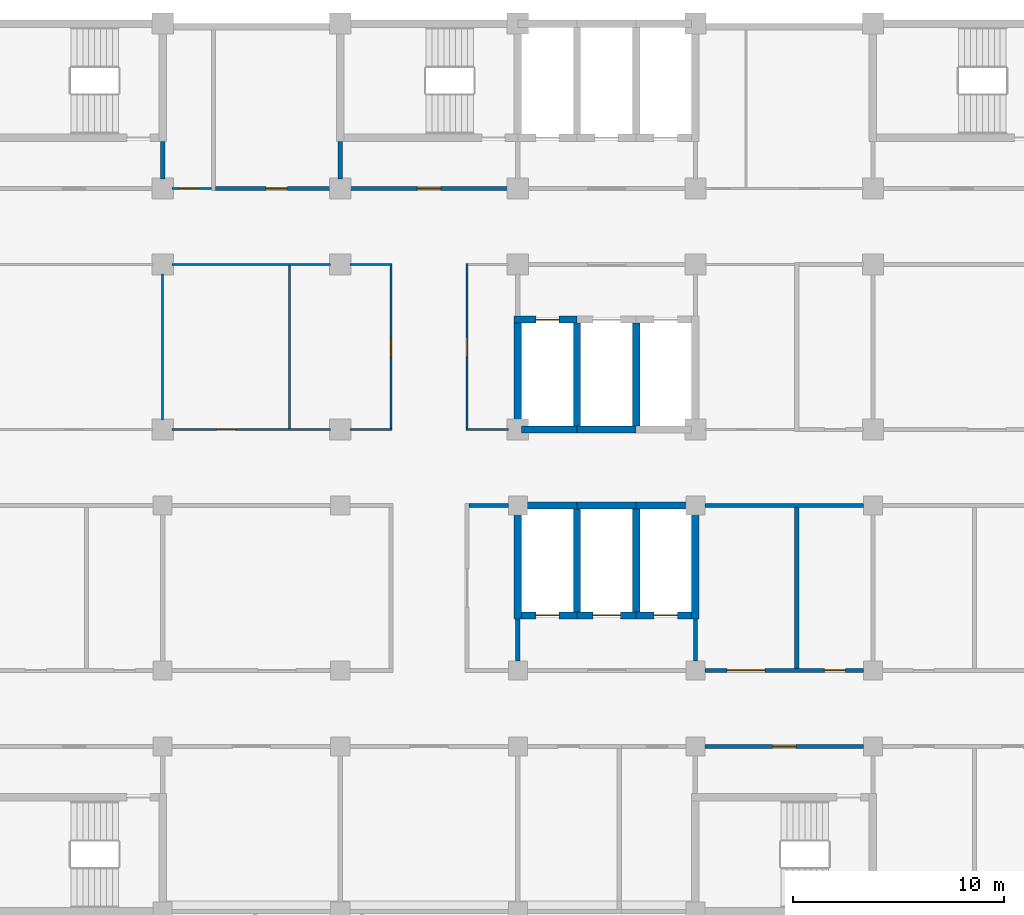
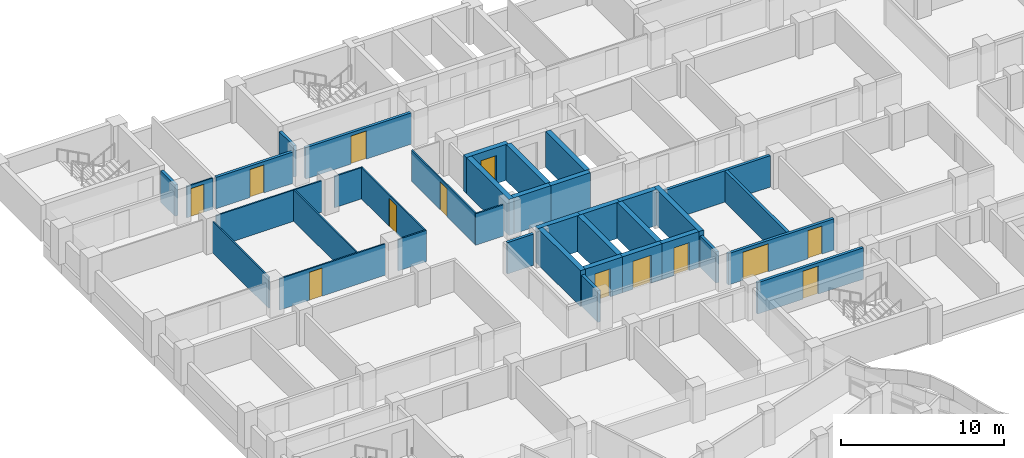
# One storey, part 45 of 89: 37 walls, 13 doors, 13 openings.
"""IFC4 building model written with IfcOpenShell, lengths in metres."""

from ifc_helpers import new_model, si_unit, direction, frame, frame_2d, origin, place, context, subcontext, project, spatial, rectangle, extrude, material, layer, layer_set, type_object, element, fill, save


model = new_model("IFC4")

# Units and contexts
model_context = context("Model", 3, precision=1e-05, world=origin(), true_north=direction((0.0, 1.0)))
body_context = subcontext(model_context, "Body", "Model", "MODEL_VIEW")
ifc_project = project(units=[si_unit("LENGTHUNIT", "METRE"), si_unit("AREAUNIT", "SQUARE_METRE"), si_unit("VOLUMEUNIT", "CUBIC_METRE"), si_unit("PLANEANGLEUNIT", "RADIAN"), si_unit("MASSUNIT", "GRAM", prefix="KILO")], contexts=[model_context])

# Site, building, storey
site_placement = place(None, origin())
site = spatial("IfcSite", under=ifc_project, at=site_placement, CompositionType="ELEMENT")
building_placement = place(site_placement, origin())
building = spatial("IfcBuilding", under=site, at=building_placement, Name="Bougainvillea Quay General Hospital", CompositionType="ELEMENT")
storey_placement = place(building_placement, frame((0.0, 0.0, 9.89990234375)))
storey = spatial("IfcBuildingStorey", under=building, at=storey_placement, Name="L01M", CompositionType="ELEMENT", Elevation=9.89990234375)

# Wall
ifc_material_1 = material(Name="Gypsum board partition on steel studs", Category="steel")
ifc_layer_1 = layer(ifc_material_1, 0.10009765625)
ifc_layer_set_1 = layer_set([ifc_layer_1], Name="Gypsum board partition on steel studs")
wall_type_1 = type_object("IfcWallType", Name="Partition 100 Gypsum board partition", PredefinedType="PARTITIONING", material=ifc_layer_set_1)
wall_1_placement = place(storey_placement, frame((61.25, 140.39990234375, 0.0), z_axis=(0.0, 0.0, 1.0), x_axis=(-1.0, 0.0, 0.0)))
element("IfcWall", 1, at=wall_1_placement, inside=storey, type_object=wall_type_1, Name="Partition 100 mm", PredefinedType="PARTITIONING", context=body_context, shape_type="SweptSolid", body=[
    extrude(rectangle(XDim=2.0, YDim=0.10009765625, at=frame_2d((1.0, 0.0))), origin(), (0.0, 0.0, 1.0), 2.35009765625),
])

# Wall, opening, door
wall_2_placement = place(storey_placement, frame((58.35009765625, 140.39990234375, 0.0), z_axis=(0.0, 0.0, 1.0), x_axis=(-1.0, 0.0, 0.0)))
wall_2 = element("IfcWall", 2, at=wall_2_placement, inside=storey, type_object=wall_type_1, Name="Partition 100 mm", PredefinedType="PARTITIONING", context=body_context, shape_type="SweptSolid", body=[
    extrude(rectangle(XDim=7.5, YDim=0.10009765625, at=frame_2d((3.75, 0.0))), origin(), (0.0, 0.0, 1.0), 2.35009765625),
])
opening_1_placement = place(wall_2_placement, frame((4.5, 0.0, 0.0)))
opening_1 = element("IfcOpeningElement", 3, at=opening_1_placement, cuts=wall_2, Name="Opening L01M.130", PredefinedType="OPENING", context=body_context, shape_type="SweptSolid", body=[
    extrude(rectangle(XDim=0.89990234375, YDim=2.10009765625, at=frame_2d((0.449951171875, 1.050048828125))), frame((0.0, 0.06005859375, 0.0), z_axis=(0.0, -1.0, 0.0), x_axis=(1.0, 0.0, 0.0)), (0.0, 0.0, 1.0), 0.1201171875),
])
ifc_material_2 = material(Name="Solid-core timber door leaf in steel frame", Category="steel")
door_type_1 = type_object("IfcDoorType", Name="Single leaf door 900x2100", OperationType="NOTDEFINED", PredefinedType="DOOR", material=ifc_material_2)
door_1_placement = place(opening_1_placement, frame((0.89990234375, 0.0, 0.0), z_axis=(0.0, 0.0, 1.0), x_axis=(-1.0, 0.0, 0.0)))
door_1 = element("IfcDoor", 4, at=door_1_placement, inside=storey, type_object=door_type_1, Name="DT07 L01M.130", OperationType="SINGLE_SWING_LEFT", OverallHeight=2.10009765625, OverallWidth=0.89990234375, PredefinedType="DOOR", context=body_context, shape_type="SweptSolid", body=[
    extrude(rectangle(XDim=0.89990234375, YDim=2.10009765625, at=frame_2d((0.449951171875, 1.050048828125))), frame((0.0, 0.02490234375, 0.0), z_axis=(0.0, -1.0, 0.0), x_axis=(1.0, 0.0, 0.0)), (0.0, 0.0, 1.0), 0.050048828125),
])
fill(opening_1, door_1)

# Walls
wall_3_placement = place(storey_placement, frame((61.25, 148.199951171875, 0.0), z_axis=(0.0, 0.0, 1.0), x_axis=(-1.0, 0.0, 0.0)))
element("IfcWall", 5, at=wall_3_placement, inside=storey, type_object=wall_type_1, Name="Partition 100 mm", PredefinedType="PARTITIONING", context=body_context, shape_type="SweptSolid", body=[
    extrude(rectangle(XDim=2.0, YDim=0.10009765625, at=frame_2d((1.0, 0.0))), origin(), (0.0, 0.0, 1.0), 2.35009765625),
])
wall_4_placement = place(storey_placement, frame((58.35009765625, 148.199951171875, 0.0), z_axis=(0.0, 0.0, 1.0), x_axis=(-1.0, 0.0, 0.0)))
element("IfcWall", 6, at=wall_4_placement, inside=storey, type_object=wall_type_1, Name="Partition 100 mm", PredefinedType="PARTITIONING", context=body_context, shape_type="SweptSolid", body=[
    extrude(rectangle(XDim=7.5, YDim=0.10009765625, at=frame_2d((3.75, 0.0))), origin(), (0.0, 0.0, 1.0), 2.35009765625),
])
wall_5_placement = place(storey_placement, frame((66.75, 140.39990234375, 0.0), z_axis=(0.0, 0.0, 1.0), x_axis=(-1.0, 0.0, 0.0)))
element("IfcWall", 7, at=wall_5_placement, inside=storey, type_object=wall_type_1, Name="Partition 100 mm", PredefinedType="PARTITIONING", context=body_context, shape_type="SweptSolid", body=[
    extrude(rectangle(XDim=2.0, YDim=0.10009765625, at=frame_2d((1.0, 0.0))), origin(), (0.0, 0.0, 1.0), 2.35009765625),
])
wall_6_placement = place(storey_placement, frame((50.39990234375, 140.85009765625, 0.0), z_axis=(0.0, 0.0, 1.0), x_axis=(0.0, 1.0, 0.0)))
element("IfcWall", 8, at=wall_6_placement, inside=storey, type_object=wall_type_1, Name="Partition 100 mm", PredefinedType="PARTITIONING", context=body_context, shape_type="SweptSolid", body=[
    extrude(rectangle(XDim=6.89990234375, YDim=0.10009765625, at=frame_2d((3.449951171875, 0.0))), origin(), (0.0, 0.0, 1.0), 2.35009765625),
])
wall_7_placement = place(storey_placement, frame((56.39990234375, 140.449951171875, 0.0), z_axis=(0.0, 0.0, 1.0), x_axis=(0.0, 1.0, 0.0)))
element("IfcWall", 9, at=wall_7_placement, inside=storey, type_object=wall_type_1, Name="Partition 100 mm", PredefinedType="PARTITIONING", context=body_context, shape_type="SweptSolid", body=[
    extrude(rectangle(XDim=7.699951171875, YDim=0.10009765625, at=frame_2d((3.85009765625, 0.0))), origin(), (0.0, 0.0, 1.0), 2.35009765625),
])

# Wall, opening, door
wall_8_placement = place(storey_placement, frame((61.199951171875, 140.449951171875, 0.0), z_axis=(0.0, 0.0, 1.0), x_axis=(0.0, 1.0, 0.0)))
wall_8 = element("IfcWall", 10, at=wall_8_placement, inside=storey, type_object=wall_type_1, Name="Partition 100 mm", PredefinedType="PARTITIONING", context=body_context, shape_type="SweptSolid", body=[
    extrude(rectangle(XDim=7.699951171875, YDim=0.10009765625, at=frame_2d((3.85009765625, 0.0))), origin(), (0.0, 0.0, 1.0), 2.35009765625),
])
opening_2_placement = place(wall_8_placement, frame((3.39990234375, 0.0, 0.0)))
opening_2 = element("IfcOpeningElement", 11, at=opening_2_placement, cuts=wall_8, Name="Opening L01M.131", PredefinedType="OPENING", context=body_context, shape_type="SweptSolid", body=[
    extrude(rectangle(XDim=0.89990234375, YDim=2.10009765625, at=frame_2d((0.449951171875, 1.050048828125))), frame((0.0, 0.06005859375, 0.0), z_axis=(0.0, -1.0, 0.0), x_axis=(1.0, 0.0, 0.0)), (0.0, 0.0, 1.0), 0.1201171875),
])
door_2_placement = place(opening_2_placement, origin())
door_2 = element("IfcDoor", 12, at=door_2_placement, inside=storey, type_object=door_type_1, Name="DT07 L01M.131", OperationType="SINGLE_SWING_LEFT", OverallHeight=2.10009765625, OverallWidth=0.89990234375, PredefinedType="DOOR", context=body_context, shape_type="SweptSolid", body=[
    extrude(rectangle(XDim=0.89990234375, YDim=2.10009765625, at=frame_2d((0.449951171875, 1.050048828125))), frame((0.0, 0.02490234375, 0.0), z_axis=(0.0, -1.0, 0.0), x_axis=(1.0, 0.0, 0.0)), (0.0, 0.0, 1.0), 0.050048828125),
])
fill(opening_2, door_2)

wall_9_placement = place(storey_placement, frame((64.800048828125, 140.449951171875, 0.0), z_axis=(0.0, 0.0, 1.0), x_axis=(0.0, 1.0, 0.0)))
wall_9 = element("IfcWall", 13, at=wall_9_placement, inside=storey, type_object=wall_type_1, Name="Partition 100 mm", PredefinedType="PARTITIONING", context=body_context, shape_type="SweptSolid", body=[
    extrude(rectangle(XDim=7.800048828125, YDim=0.10009765625, at=frame_2d((3.89990234375, 0.0))), origin(), (0.0, 0.0, 1.0), 2.35009765625),
])
opening_3_placement = place(wall_9_placement, frame((3.39990234375, 0.0, 0.0)))
opening_3 = element("IfcOpeningElement", 14, at=opening_3_placement, cuts=wall_9, Name="Opening L01M.136", PredefinedType="OPENING", context=body_context, shape_type="SweptSolid", body=[
    extrude(rectangle(XDim=0.89990234375, YDim=2.10009765625, at=frame_2d((0.449951171875, 1.050048828125))), frame((0.0, 0.06005859375, 0.0), z_axis=(0.0, -1.0, 0.0), x_axis=(1.0, 0.0, 0.0)), (0.0, 0.0, 1.0), 0.1201171875),
])
door_3_placement = place(opening_3_placement, frame((0.89990234375, 0.0, 0.0), z_axis=(0.0, 0.0, 1.0), x_axis=(-1.0, 0.0, 0.0)))
door_3 = element("IfcDoor", 15, at=door_3_placement, inside=storey, type_object=door_type_1, Name="DT07 L01M.136", OperationType="SINGLE_SWING_RIGHT", OverallHeight=2.10009765625, OverallWidth=0.89990234375, PredefinedType="DOOR", context=body_context, shape_type="SweptSolid", body=[
    extrude(rectangle(XDim=0.89990234375, YDim=2.10009765625, at=frame_2d((0.449951171875, 1.050048828125))), frame((0.0, 0.02490234375, 0.0), z_axis=(0.0, -1.0, 0.0), x_axis=(1.0, 0.0, 0.0)), (0.0, 0.0, 1.0), 0.050048828125),
])
fill(opening_3, door_3)

wall_10_placement = place(storey_placement, frame((50.85009765625, 151.800048828125, 0.0), z_axis=(0.0, 0.0, 1.0), x_axis=(1.0, 0.0, 0.0)))
wall_10 = element("IfcWall", 16, at=wall_10_placement, inside=storey, type_object=wall_type_1, Name="Partition 100 mm", PredefinedType="PARTITIONING", context=body_context, shape_type="SweptSolid", body=[
    extrude(rectangle(XDim=1.847900390625, YDim=0.10009765625, at=frame_2d((0.923828125, 0.0))), origin(), (0.0, 0.0, 1.0), 2.35009765625),
])
opening_4_placement = place(wall_10_placement, frame((0.299072265625, 0.0, 0.0)))
opening_4 = element("IfcOpeningElement", 17, at=opening_4_placement, cuts=wall_10, Name="Opening L01M.132", PredefinedType="OPENING", context=body_context, shape_type="SweptSolid", body=[
    extrude(rectangle(XDim=0.89990234375, YDim=2.10009765625, at=frame_2d((0.449951171875, 1.050048828125))), frame((0.0, 0.06005859375, 0.0), z_axis=(0.0, -1.0, 0.0), x_axis=(1.0, 0.0, 0.0)), (0.0, 0.0, 1.0), 0.1201171875),
])
door_4_placement = place(opening_4_placement, origin())
door_4 = element("IfcDoor", 18, at=door_4_placement, inside=storey, type_object=door_type_1, Name="DT07 L01M.132", OperationType="SINGLE_SWING_LEFT", OverallHeight=2.10009765625, OverallWidth=0.89990234375, PredefinedType="DOOR", context=body_context, shape_type="SweptSolid", body=[
    extrude(rectangle(XDim=0.89990234375, YDim=2.10009765625, at=frame_2d((0.449951171875, 1.050048828125))), frame((0.0, 0.02490234375, 0.0), z_axis=(0.0, -1.0, 0.0), x_axis=(1.0, 0.0, 0.0)), (0.0, 0.0, 1.0), 0.050048828125),
])
fill(opening_4, door_4)

ifc_material_3 = material(Name="Fire-rated autoclaved aerated block wall, plastered")
ifc_layer_2 = layer(ifc_material_3, 0.199951171875)
ifc_layer_set_2 = layer_set([ifc_layer_2], Name="Fire-rated autoclaved aerated block wall, plastered")
wall_type_2 = type_object("IfcWallType", Name="Partition 200 Fire-rated autoclaved aerated block wall EI 120", PredefinedType="SOLIDWALL", material=ifc_layer_set_2)
wall_11_placement = place(storey_placement, frame((83.550048828125, 125.39990234375, 0.0), z_axis=(0.0, 0.0, 1.0), x_axis=(-1.0, 0.0, 0.0)))
wall_11 = element("IfcWall", 19, at=wall_11_placement, inside=storey, type_object=wall_type_2, Name="Partition 200 mm EI 120", PredefinedType="SOLIDWALL", context=body_context, shape_type="SweptSolid", body=[
    extrude(rectangle(XDim=7.5, YDim=0.199951171875, at=frame_2d((3.75, 0.0))), origin(), (0.0, 0.0, 1.0), 2.35009765625),
])
opening_5_placement = place(wall_11_placement, frame((3.199951171875, 0.0, 0.0)))
opening_5 = element("IfcOpeningElement", 20, at=opening_5_placement, cuts=wall_11, Name="Opening L01M.036", PredefinedType="OPENING", context=body_context, shape_type="SweptSolid", body=[
    extrude(rectangle(XDim=1.10009765625, YDim=2.10009765625, at=frame_2d((0.550048828125, 1.050048828125))), frame((0.0, 0.10986328125, 0.0), z_axis=(0.0, -1.0, 0.0), x_axis=(1.0, 0.0, 0.0)), (0.0, 0.0, 1.0), 0.219970703125),
])
ifc_material_4 = material(Name="Steel fire door leaf in steel frame", Category="steel")
door_type_2 = type_object("IfcDoorType", Name="Steel single leaf door 1100x2100 FD60", OperationType="NOTDEFINED", PredefinedType="DOOR", material=ifc_material_4)
door_5_placement = place(opening_5_placement, origin())
door_5 = element("IfcDoor", 21, at=door_5_placement, inside=storey, type_object=door_type_2, Name="DT04 L01M.036", OperationType="SINGLE_SWING_RIGHT", OverallHeight=2.10009765625, OverallWidth=1.10009765625, PredefinedType="DOOR", context=body_context, shape_type="SweptSolid", body=[
    extrude(rectangle(XDim=1.10009765625, YDim=2.10009765625, at=frame_2d((0.550048828125, 1.050048828125))), frame((0.0, 0.02490234375, 0.0), z_axis=(0.0, -1.0, 0.0), x_axis=(1.0, 0.0, 0.0)), (0.0, 0.0, 1.0), 0.050048828125),
])
fill(opening_5, door_5)

# Wall, openings, doors
wall_12_placement = place(storey_placement, frame((83.550048828125, 129.0, 0.0), z_axis=(0.0, 0.0, 1.0), x_axis=(-1.0, 0.0, 0.0)))
wall_12 = element("IfcWall", 22, at=wall_12_placement, inside=storey, type_object=wall_type_2, Name="Partition 200 mm EI 120", PredefinedType="SOLIDWALL", context=body_context, shape_type="SweptSolid", body=[
    extrude(rectangle(XDim=7.5, YDim=0.199951171875, at=frame_2d((3.75, 0.0))), origin(), (0.0, 0.0, 1.0), 2.35009765625),
])
opening_6_placement = place(wall_12_placement, frame((4.64990234375, 0.0, 0.0)))
opening_6 = element("IfcOpeningElement", 23, at=opening_6_placement, cuts=wall_12, Name="Opening L01M.090", PredefinedType="OPENING", context=body_context, shape_type="SweptSolid", body=[
    extrude(rectangle(XDim=1.800048828125, YDim=2.10009765625, at=frame_2d((0.89990234375, 1.050048828125))), frame((0.0, 0.10986328125, 0.0), z_axis=(0.0, -1.0, 0.0), x_axis=(1.0, 0.0, 0.0)), (0.0, 0.0, 1.0), 0.219970703125),
])
opening_7_placement = place(wall_12_placement, frame((0.85009765625, 0.0, 0.0)))
opening_7 = element("IfcOpeningElement", 24, at=opening_7_placement, cuts=wall_12, Name="Opening L01M.091", PredefinedType="OPENING", context=body_context, shape_type="SweptSolid", body=[
    extrude(rectangle(XDim=1.0, YDim=2.10009765625, at=frame_2d((0.5, 1.050048828125))), frame((0.0, 0.10986328125, 0.0), z_axis=(0.0, -1.0, 0.0), x_axis=(1.0, 0.0, 0.0)), (0.0, 0.0, 1.0), 0.219970703125),
])
ifc_material_5 = material(Name="Steel fire door leaves in steel frame", Category="steel")
door_type_3 = type_object("IfcDoorType", Name="Steel double leaf door 1800x2100 FD90", OperationType="DOUBLE_DOOR_SINGLE_SWING", PredefinedType="DOOR", material=ifc_material_5)
door_6_placement = place(opening_6_placement, frame((1.800048828125, 0.0, 0.0), z_axis=(0.0, 0.0, 1.0), x_axis=(-1.0, 0.0, 0.0)))
door_6 = element("IfcDoor", 25, at=door_6_placement, inside=storey, type_object=door_type_3, Name="DT03 L01M.090", OperationType="DOUBLE_DOOR_SINGLE_SWING", OverallHeight=2.10009765625, OverallWidth=1.800048828125, PredefinedType="DOOR", context=body_context, shape_type="SweptSolid", body=[
    extrude(rectangle(XDim=1.800048828125, YDim=2.10009765625, at=frame_2d((0.89990234375, 1.050048828125))), frame((0.0, 0.02490234375, 0.0), z_axis=(0.0, -1.0, 0.0), x_axis=(1.0, 0.0, 0.0)), (0.0, 0.0, 1.0), 0.050048828125),
])
fill(opening_6, door_6)
door_type_4 = type_object("IfcDoorType", Name="Steel single leaf door 1000x2100 FD90", OperationType="NOTDEFINED", PredefinedType="DOOR", material=ifc_material_4)
door_7_placement = place(opening_7_placement, frame((1.0, 0.0, 0.0), z_axis=(0.0, 0.0, 1.0), x_axis=(-1.0, 0.0, 0.0)))
door_7 = element("IfcDoor", 26, at=door_7_placement, inside=storey, type_object=door_type_4, Name="DT11 L01M.091", OperationType="SINGLE_SWING_RIGHT", OverallHeight=2.10009765625, OverallWidth=1.0, PredefinedType="DOOR", context=body_context, shape_type="SweptSolid", body=[
    extrude(rectangle(XDim=1.0, YDim=2.10009765625, at=frame_2d((0.5, 1.050048828125))), frame((0.0, 0.02490234375, 0.0), z_axis=(0.0, -1.0, 0.0), x_axis=(1.0, 0.0, 0.0)), (0.0, 0.0, 1.0), 0.050048828125),
])
fill(opening_7, door_7)

# Wall
wall_13_placement = place(storey_placement, frame((83.550048828125, 136.800048828125, 0.0), z_axis=(0.0, 0.0, 1.0), x_axis=(-1.0, 0.0, 0.0)))
element("IfcWall", 27, at=wall_13_placement, inside=storey, type_object=wall_type_2, Name="Partition 200 mm EI 120", PredefinedType="SOLIDWALL", context=body_context, shape_type="SweptSolid", body=[
    extrude(rectangle(XDim=7.5, YDim=0.199951171875, at=frame_2d((3.75, 0.0))), origin(), (0.0, 0.0, 1.0), 2.35009765625),
])

# Wall, opening, door
wall_14_placement = place(storey_placement, frame((59.25, 151.800048828125, 0.0), z_axis=(0.0, 0.0, 1.0), x_axis=(1.0, 0.0, 0.0)))
wall_14 = element("IfcWall", 28, at=wall_14_placement, inside=storey, type_object=wall_type_2, Name="Partition 200 mm EI 120", PredefinedType="SOLIDWALL", context=body_context, shape_type="SweptSolid", body=[
    extrude(rectangle(XDim=7.5, YDim=0.199951171875, at=frame_2d((3.75, 0.0))), origin(), (0.0, 0.0, 1.0), 2.35009765625),
])
opening_8_placement = place(wall_14_placement, frame((3.199951171875, 0.0, 0.0)))
opening_8 = element("IfcOpeningElement", 29, at=opening_8_placement, cuts=wall_14, Name="Opening L01M.039", PredefinedType="OPENING", context=body_context, shape_type="SweptSolid", body=[
    extrude(rectangle(XDim=1.10009765625, YDim=2.10009765625, at=frame_2d((0.550048828125, 1.050048828125))), frame((0.0, 0.10986328125, 0.0), z_axis=(0.0, -1.0, 0.0), x_axis=(1.0, 0.0, 0.0)), (0.0, 0.0, 1.0), 0.219970703125),
])
door_8_placement = place(opening_8_placement, origin())
door_8 = element("IfcDoor", 30, at=door_8_placement, inside=storey, type_object=door_type_2, Name="DT04 L01M.039", OperationType="SINGLE_SWING_RIGHT", OverallHeight=2.10009765625, OverallWidth=1.10009765625, PredefinedType="DOOR", context=body_context, shape_type="SweptSolid", body=[
    extrude(rectangle(XDim=1.10009765625, YDim=2.10009765625, at=frame_2d((0.550048828125, 1.050048828125))), frame((0.0, 0.02490234375, 0.0), z_axis=(0.0, -1.0, 0.0), x_axis=(1.0, 0.0, 0.0)), (0.0, 0.0, 1.0), 0.050048828125),
])
fill(opening_8, door_8)

# Walls
for number, where, z_axis, x_axis, name in (
    (31, (67.199951171875, 129.449951171875, 0.0), (0.0, 0.0, 1.0), (0.0, 1.0, 0.0), "Partition 200 mm EI 120"),
    (32, (75.60009765625, 129.449951171875, 0.0), (0.0, 0.0, 1.0), (0.0, 1.0, 0.0), "Partition 200 mm EI 120"),
):
    element("IfcWall", number, at=place(storey_placement, frame(where, z_axis=z_axis, x_axis=x_axis)), inside=storey, type_object=wall_type_2, Name=name, PredefinedType="SOLIDWALL", context=body_context, shape_type="SweptSolid", body=[
        extrude(rectangle(XDim=1.97509765625, YDim=0.199951171875, at=frame_2d((0.987548828125, 0.0))), origin(), (0.0, 0.0, 1.0), 2.35009765625),
    ])
wall_15_placement = place(storey_placement, frame((80.39990234375, 129.10009765625, 0.0), z_axis=(0.0, 0.0, 1.0), x_axis=(0.0, 1.0, 0.0)))
element("IfcWall", 33, at=wall_15_placement, inside=storey, type_object=wall_type_2, Name="Partition 200 mm EI 120", PredefinedType="SOLIDWALL", context=body_context, shape_type="SweptSolid", body=[
    extrude(rectangle(XDim=7.599853515625, YDim=0.199951171875, at=frame_2d((3.7998046875, 0.0))), origin(), (0.0, 0.0, 1.0), 2.35009765625),
])
wall_16_placement = place(storey_placement, frame((64.89990234375, 136.800048828125, 0.0), z_axis=(0.0, 0.0, 1.0), x_axis=(1.0, 0.0, 0.0)))
element("IfcWall", 34, at=wall_16_placement, inside=storey, type_object=wall_type_2, Name="Partition 200 mm EI 120", PredefinedType="SOLIDWALL", context=body_context, shape_type="SweptSolid", body=[
    extrude(rectangle(XDim=1.85009765625, YDim=0.199951171875, at=frame_2d((0.925048828125, 0.0))), origin(), (0.0, 0.0, 1.0), 2.35009765625),
])
wall_17_placement = place(storey_placement, frame((50.39990234375, 152.25, 0.0), z_axis=(0.0, 0.0, 1.0), x_axis=(0.0, 1.0, 0.0)))
element("IfcWall", 35, at=wall_17_placement, inside=storey, type_object=wall_type_2, Name="Partition 200 mm EI 120", PredefinedType="SOLIDWALL", context=body_context, shape_type="SweptSolid", body=[
    extrude(rectangle(XDim=1.77490234375, YDim=0.199951171875, at=frame_2d((0.887451171875, 0.0))), origin(), (0.0, 0.0, 1.0), 2.35009765625),
])
ifc_layer_3 = layer(ifc_material_3, 0.199951171875)
ifc_layer_set_3 = layer_set([ifc_layer_3], Name="Fire-rated autoclaved aerated block wall, plastered")
wall_type_3 = type_object("IfcWallType", Name="Partition 200 Fire-rated autoclaved aerated block wall EI 60", PredefinedType="SOLIDWALL", material=ifc_layer_set_3)
wall_18_placement = place(storey_placement, frame((58.798095703125, 152.25, 0.0), z_axis=(0.0, 0.0, 1.0), x_axis=(0.0, 1.0, 0.0)))
element("IfcWall", 36, at=wall_18_placement, inside=storey, type_object=wall_type_3, Name="Partition 200 mm EI 60", PredefinedType="SOLIDWALL", context=body_context, shape_type="SweptSolid", body=[
    extrude(rectangle(XDim=1.77490234375, YDim=0.199951171875, at=frame_2d((0.887451171875, 0.0))), origin(), (0.0, 0.0, 1.0), 2.35009765625),
])

# Wall, opening, door
wall_19_placement = place(storey_placement, frame((52.89794921875, 151.800048828125, 0.0), z_axis=(0.0, 0.0, 1.0), x_axis=(1.0, 0.0, 0.0)))
wall_19 = element("IfcWall", 37, at=wall_19_placement, inside=storey, type_object=wall_type_3, Name="Partition 200 mm EI 60", PredefinedType="SOLIDWALL", context=body_context, shape_type="SweptSolid", body=[
    extrude(rectangle(XDim=5.4521484375, YDim=0.199951171875, at=frame_2d((2.72607421875, 0.0))), origin(), (0.0, 0.0, 1.0), 2.35009765625),
])
opening_9_placement = place(wall_19_placement, frame((2.39990234375, 0.0, 0.0)))
opening_9 = element("IfcOpeningElement", 38, at=opening_9_placement, cuts=wall_19, Name="Opening L01M.133", PredefinedType="OPENING", context=body_context, shape_type="SweptSolid", body=[
    extrude(rectangle(XDim=1.0, YDim=2.10009765625, at=frame_2d((0.5, 1.050048828125))), frame((0.0, 0.10986328125, 0.0), z_axis=(0.0, -1.0, 0.0), x_axis=(1.0, 0.0, 0.0)), (0.0, 0.0, 1.0), 0.219970703125),
])
door_type_5 = type_object("IfcDoorType", Name="Steel single leaf door 1000x2100 FD60", OperationType="NOTDEFINED", PredefinedType="DOOR", material=ifc_material_4)
door_9_placement = place(opening_9_placement, origin())
door_9 = element("IfcDoor", 39, at=door_9_placement, inside=storey, type_object=door_type_5, Name="DT10 L01M.133", OperationType="SINGLE_SWING_RIGHT", OverallHeight=2.10009765625, OverallWidth=1.0, PredefinedType="DOOR", context=body_context, shape_type="SweptSolid", body=[
    extrude(rectangle(XDim=1.0, YDim=2.10009765625, at=frame_2d((0.5, 1.050048828125))), frame((0.0, 0.02490234375, 0.0), z_axis=(0.0, -1.0, 0.0), x_axis=(1.0, 0.0, 0.0)), (0.0, 0.0, 1.0), 0.050048828125),
])
fill(opening_9, door_9)

# Wall
ifc_material_6 = material(Name="Concrete C40", Category="concrete")
ifc_layer_4 = layer(ifc_material_6, 0.35009765625)
ifc_layer_set_4 = layer_set([ifc_layer_4], Name="Concrete C40")
wall_type_4 = type_object("IfcWallType", Name="RC SHEAR WALL 350 C40", PredefinedType="SHEAR", material=ifc_layer_set_4)
wall_20_placement = place(storey_placement, frame((67.02490234375, 136.800048828125, 0.0), z_axis=(0.0, 0.0, 1.0), x_axis=(1.0, 0.0, 0.0)))
element("IfcWall", 40, at=wall_20_placement, inside=storey, type_object=wall_type_4, Name="Shear wall L01M", PredefinedType="SHEAR", context=body_context, shape_type="SweptSolid", body=[
    extrude(rectangle(XDim=2.97509765625, YDim=0.35009765625, at=frame_2d((1.487548828125, 0.0))), origin(), (0.0, 0.0, 1.0), 2.7001953125),
])

# Wall, opening, door
wall_21_placement = place(storey_placement, frame((67.02490234375, 145.60009765625, 0.0), z_axis=(0.0, 0.0, 1.0), x_axis=(1.0, 0.0, 0.0)))
wall_21 = element("IfcWall", 41, at=wall_21_placement, inside=storey, type_object=wall_type_4, Name="Shear wall L01M", PredefinedType="SHEAR", context=body_context, shape_type="SweptSolid", body=[
    extrude(rectangle(XDim=2.97509765625, YDim=0.35009765625, at=frame_2d((1.487548828125, 0.0))), origin(), (0.0, 0.0, 1.0), 2.7001953125),
])
opening_10_placement = place(wall_21_placement, frame((1.02490234375, 0.0, 0.0)))
opening_10 = element("IfcOpeningElement", 42, at=opening_10_placement, cuts=wall_21, Name="Opening LD-A1.1-L01M", PredefinedType="OPENING", context=body_context, shape_type="SweptSolid", body=[
    extrude(rectangle(XDim=1.10009765625, YDim=2.10009765625, at=frame_2d((0.550048828125, 1.050048828125))), frame((0.0, 0.18505859375, 0.0), z_axis=(0.0, -1.0, 0.0), x_axis=(1.0, 0.0, 0.0)), (0.0, 0.0, 1.0), 0.3701171875),
])
ifc_material_7 = material(Name="Stainless steel centre-opening landing door", Category="steel")
door_type_6 = type_object("IfcDoorType", Name="Lift landing door 1100x2100 E 120", OperationType="DOUBLE_DOOR_SLIDING", PredefinedType="DOOR", material=ifc_material_7)
door_10_placement = place(opening_10_placement, origin())
door_10 = element("IfcDoor", 43, at=door_10_placement, inside=storey, type_object=door_type_6, Name="Lift landing door LB-A1-1 L01M", OperationType="DOUBLE_DOOR_SLIDING", OverallHeight=2.10009765625, OverallWidth=1.10009765625, PredefinedType="DOOR", context=body_context, shape_type="SweptSolid", body=[
    extrude(rectangle(XDim=1.10009765625, YDim=2.10009765625, at=frame_2d((0.550048828125, 1.050048828125))), frame((0.0, 0.02490234375, 0.0), z_axis=(0.0, -1.0, 0.0), x_axis=(1.0, 0.0, 0.0)), (0.0, 0.0, 1.0), 0.050048828125),
])
fill(opening_10, door_10)

# Walls
for number, where, z_axis, x_axis, name in (
    (44, (67.199951171875, 131.425048828125, 0.0), (0.0, 0.0, 1.0), (0.0, 1.0, 0.0), "Shear wall L01M"),
    (45, (67.199951171875, 140.22509765625, 0.0), (0.0, 0.0, 1.0), (0.0, 1.0, 0.0), "Shear wall L01M"),
):
    element("IfcWall", number, at=place(storey_placement, frame(where, z_axis=z_axis, x_axis=x_axis)), inside=storey, type_object=wall_type_4, Name=name, PredefinedType="SHEAR", context=body_context, shape_type="SweptSolid", body=[
        extrude(rectangle(XDim=5.199951171875, YDim=0.35009765625, at=frame_2d((2.60009765625, 0.0))), origin(), (0.0, 0.0, 1.0), 2.7001953125),
    ])

# Wall, opening, door
wall_22_placement = place(storey_placement, frame((67.375, 131.60009765625, 0.0), z_axis=(0.0, 0.0, 1.0), x_axis=(1.0, 0.0, 0.0)))
wall_22 = element("IfcWall", 46, at=wall_22_placement, inside=storey, type_object=wall_type_4, Name="Shear wall L01M", PredefinedType="SHEAR", context=body_context, shape_type="SweptSolid", body=[
    extrude(rectangle(XDim=2.625, YDim=0.35009765625, at=frame_2d((1.3125, 0.0))), origin(), (0.0, 0.0, 1.0), 2.7001953125),
])
opening_11_placement = place(wall_22_placement, frame((0.675048828125, 0.0, 0.0)))
opening_11 = element("IfcOpeningElement", 47, at=opening_11_placement, cuts=wall_22, Name="Opening LD-B1.1-L01M", PredefinedType="OPENING", context=body_context, shape_type="SweptSolid", body=[
    extrude(rectangle(XDim=1.10009765625, YDim=2.10009765625, at=frame_2d((0.550048828125, 1.050048828125))), frame((0.0, 0.18505859375, 0.0), z_axis=(0.0, -1.0, 0.0), x_axis=(1.0, 0.0, 0.0)), (0.0, 0.0, 1.0), 0.3701171875),
])
door_11_placement = place(opening_11_placement, origin())
door_11 = element("IfcDoor", 48, at=door_11_placement, inside=storey, type_object=door_type_6, Name="Lift landing door LB-B1-1 L01M", OperationType="DOUBLE_DOOR_SLIDING", OverallHeight=2.10009765625, OverallWidth=1.10009765625, PredefinedType="DOOR", context=body_context, shape_type="SweptSolid", body=[
    extrude(rectangle(XDim=1.10009765625, YDim=2.10009765625, at=frame_2d((0.550048828125, 1.050048828125))), frame((0.0, 0.02490234375, 0.0), z_axis=(0.0, -1.0, 0.0), x_axis=(1.0, 0.0, 0.0)), (0.0, 0.0, 1.0), 0.050048828125),
])
fill(opening_11, door_11)

# Wall
wall_23_placement = place(storey_placement, frame((67.375, 140.39990234375, 0.0), z_axis=(0.0, 0.0, 1.0), x_axis=(1.0, 0.0, 0.0)))
element("IfcWall", 49, at=wall_23_placement, inside=storey, type_object=wall_type_4, Name="Shear wall L01M", PredefinedType="SHEAR", context=body_context, shape_type="SweptSolid", body=[
    extrude(rectangle(XDim=2.625, YDim=0.35009765625, at=frame_2d((1.3125, 0.0))), origin(), (0.0, 0.0, 1.0), 2.7001953125),
])

# Wall, opening, door
wall_24_placement = place(storey_placement, frame((70.0, 131.60009765625, 0.0), z_axis=(0.0, 0.0, 1.0), x_axis=(1.0, 0.0, 0.0)))
wall_24 = element("IfcWall", 50, at=wall_24_placement, inside=storey, type_object=wall_type_4, Name="Shear wall L01M", PredefinedType="SHEAR", context=body_context, shape_type="SweptSolid", body=[
    extrude(rectangle(XDim=2.800048828125, YDim=0.35009765625, at=frame_2d((1.39990234375, 0.0))), origin(), (0.0, 0.0, 1.0), 2.7001953125),
])
opening_12_placement = place(wall_24_placement, frame((0.75, 0.0, 0.0)))
opening_12 = element("IfcOpeningElement", 51, at=opening_12_placement, cuts=wall_24, Name="Opening LD-B1.2-L01M", PredefinedType="OPENING", context=body_context, shape_type="SweptSolid", body=[
    extrude(rectangle(XDim=1.300048828125, YDim=2.10009765625, at=frame_2d((0.64990234375, 1.050048828125))), frame((0.0, 0.18505859375, 0.0), z_axis=(0.0, -1.0, 0.0), x_axis=(1.0, 0.0, 0.0)), (0.0, 0.0, 1.0), 0.3701171875),
])
door_type_7 = type_object("IfcDoorType", Name="Lift landing door 1300x2100 E 120", OperationType="DOUBLE_DOOR_SLIDING", PredefinedType="DOOR", material=ifc_material_7)
door_12_placement = place(opening_12_placement, origin())
door_12 = element("IfcDoor", 52, at=door_12_placement, inside=storey, type_object=door_type_7, Name="Lift landing door LB-B1-2 L01M", OperationType="DOUBLE_DOOR_SLIDING", OverallHeight=2.10009765625, OverallWidth=1.300048828125, PredefinedType="DOOR", context=body_context, shape_type="SweptSolid", body=[
    extrude(rectangle(XDim=1.300048828125, YDim=2.10009765625, at=frame_2d((0.64990234375, 1.050048828125))), frame((0.0, 0.02490234375, 0.0), z_axis=(0.0, -1.0, 0.0), x_axis=(1.0, 0.0, 0.0)), (0.0, 0.0, 1.0), 0.050048828125),
])
fill(opening_12, door_12)

# Walls
wall_25_placement = place(storey_placement, frame((70.0, 131.77490234375, 0.0), z_axis=(0.0, 0.0, 1.0), x_axis=(0.0, 1.0, 0.0)))
element("IfcWall", 53, at=wall_25_placement, inside=storey, type_object=wall_type_4, Name="Shear wall L01M", PredefinedType="SHEAR", context=body_context, shape_type="SweptSolid", body=[
    extrude(rectangle(XDim=4.85009765625, YDim=0.35009765625, at=frame_2d((2.425048828125, 0.0))), origin(), (0.0, 0.0, 1.0), 2.7001953125),
])
for number, where, z_axis, x_axis, name in (
    (54, (70.0, 136.800048828125, 0.0), (0.0, 0.0, 1.0), (1.0, 0.0, 0.0), "Shear wall L01M"),
    (55, (70.0, 140.39990234375, 0.0), (0.0, 0.0, 1.0), (1.0, 0.0, 0.0), "Shear wall L01M"),
):
    element("IfcWall", number, at=place(storey_placement, frame(where, z_axis=z_axis, x_axis=x_axis)), inside=storey, type_object=wall_type_4, Name=name, PredefinedType="SHEAR", context=body_context, shape_type="SweptSolid", body=[
        extrude(rectangle(XDim=2.800048828125, YDim=0.35009765625, at=frame_2d((1.39990234375, 0.0))), origin(), (0.0, 0.0, 1.0), 2.7001953125),
    ])
wall_26_placement = place(storey_placement, frame((70.0, 140.574951171875, 0.0), z_axis=(0.0, 0.0, 1.0), x_axis=(0.0, 1.0, 0.0)))
element("IfcWall", 56, at=wall_26_placement, inside=storey, type_object=wall_type_4, Name="Shear wall L01M", PredefinedType="SHEAR", context=body_context, shape_type="SweptSolid", body=[
    extrude(rectangle(XDim=4.85009765625, YDim=0.35009765625, at=frame_2d((2.425048828125, 0.0))), origin(), (0.0, 0.0, 1.0), 2.7001953125),
])

# Wall, opening, door
wall_27_placement = place(storey_placement, frame((72.800048828125, 131.60009765625, 0.0), z_axis=(0.0, 0.0, 1.0), x_axis=(1.0, 0.0, 0.0)))
wall_27 = element("IfcWall", 57, at=wall_27_placement, inside=storey, type_object=wall_type_4, Name="Shear wall L01M", PredefinedType="SHEAR", context=body_context, shape_type="SweptSolid", body=[
    extrude(rectangle(XDim=2.625, YDim=0.35009765625, at=frame_2d((1.3125, 0.0))), origin(), (0.0, 0.0, 1.0), 2.7001953125),
])
opening_13_placement = place(wall_27_placement, frame((0.85009765625, 0.0, 0.0)))
opening_13 = element("IfcOpeningElement", 58, at=opening_13_placement, cuts=wall_27, Name="Opening LD-B1.3-L01M", PredefinedType="OPENING", context=body_context, shape_type="SweptSolid", body=[
    extrude(rectangle(XDim=1.10009765625, YDim=2.10009765625, at=frame_2d((0.550048828125, 1.050048828125))), frame((0.0, 0.18505859375, 0.0), z_axis=(0.0, -1.0, 0.0), x_axis=(1.0, 0.0, 0.0)), (0.0, 0.0, 1.0), 0.3701171875),
])
door_13_placement = place(opening_13_placement, origin())
door_13 = element("IfcDoor", 59, at=door_13_placement, inside=storey, type_object=door_type_6, Name="Lift landing door LB-B1-3 L01M", OperationType="DOUBLE_DOOR_SLIDING", OverallHeight=2.10009765625, OverallWidth=1.10009765625, PredefinedType="DOOR", context=body_context, shape_type="SweptSolid", body=[
    extrude(rectangle(XDim=1.10009765625, YDim=2.10009765625, at=frame_2d((0.550048828125, 1.050048828125))), frame((0.0, 0.02490234375, 0.0), z_axis=(0.0, -1.0, 0.0), x_axis=(1.0, 0.0, 0.0)), (0.0, 0.0, 1.0), 0.050048828125),
])
fill(opening_13, door_13)

# Walls
wall_28_placement = place(storey_placement, frame((72.800048828125, 131.77490234375, 0.0), z_axis=(0.0, 0.0, 1.0), x_axis=(0.0, 1.0, 0.0)))
element("IfcWall", 60, at=wall_28_placement, inside=storey, type_object=wall_type_4, Name="Shear wall L01M", PredefinedType="SHEAR", context=body_context, shape_type="SweptSolid", body=[
    extrude(rectangle(XDim=4.85009765625, YDim=0.35009765625, at=frame_2d((2.425048828125, 0.0))), origin(), (0.0, 0.0, 1.0), 2.7001953125),
])
wall_29_placement = place(storey_placement, frame((72.800048828125, 136.800048828125, 0.0), z_axis=(0.0, 0.0, 1.0), x_axis=(1.0, 0.0, 0.0)))
element("IfcWall", 61, at=wall_29_placement, inside=storey, type_object=wall_type_4, Name="Shear wall L01M", PredefinedType="SHEAR", context=body_context, shape_type="SweptSolid", body=[
    extrude(rectangle(XDim=2.625, YDim=0.35009765625, at=frame_2d((1.3125, 0.0))), origin(), (0.0, 0.0, 1.0), 2.7001953125),
])
wall_30_placement = place(storey_placement, frame((72.800048828125, 140.574951171875, 0.0), z_axis=(0.0, 0.0, 1.0), x_axis=(0.0, 1.0, 0.0)))
element("IfcWall", 62, at=wall_30_placement, inside=storey, type_object=wall_type_4, Name="Shear wall L01M", PredefinedType="SHEAR", context=body_context, shape_type="SweptSolid", body=[
    extrude(rectangle(XDim=4.85009765625, YDim=0.35009765625, at=frame_2d((2.425048828125, 0.0))), origin(), (0.0, 0.0, 1.0), 2.7001953125),
])
wall_31_placement = place(storey_placement, frame((75.60009765625, 131.425048828125, 0.0), z_axis=(0.0, 0.0, 1.0), x_axis=(0.0, 1.0, 0.0)))
element("IfcWall", 63, at=wall_31_placement, inside=storey, type_object=wall_type_4, Name="Shear wall L01M", PredefinedType="SHEAR", context=body_context, shape_type="SweptSolid", body=[
    extrude(rectangle(XDim=5.550048828125, YDim=0.35009765625, at=frame_2d((2.77490234375, 0.0))), origin(), (0.0, 0.0, 1.0), 2.7001953125),
])

save(model, "model.ifc")
